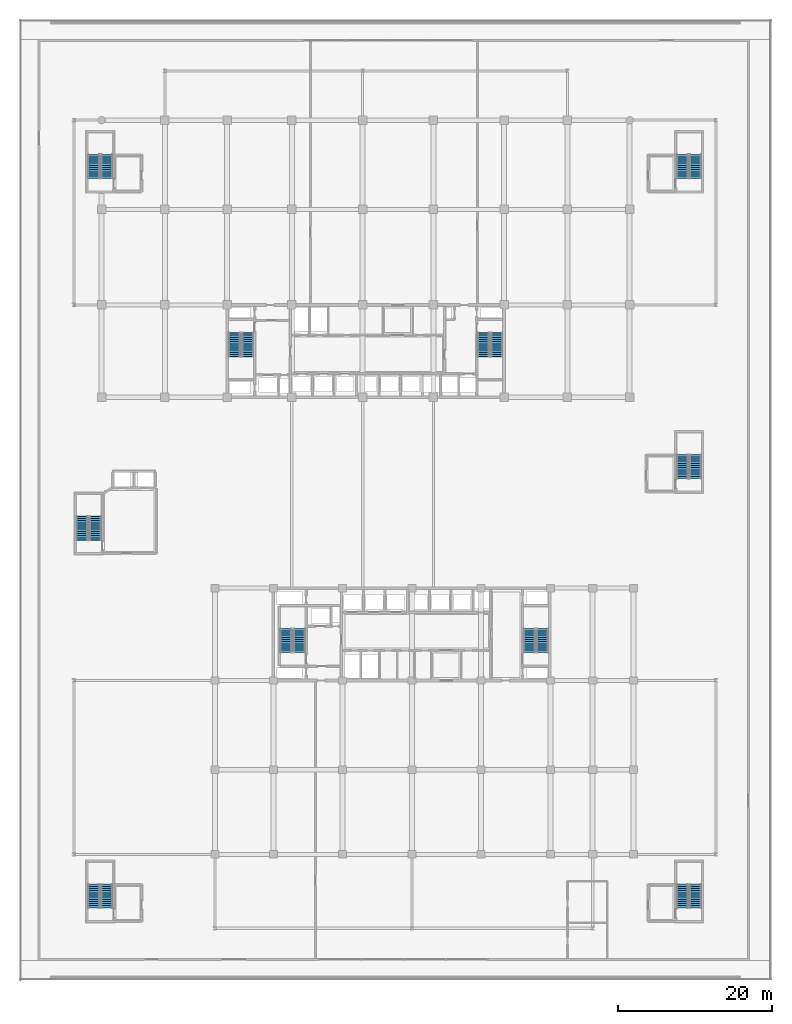
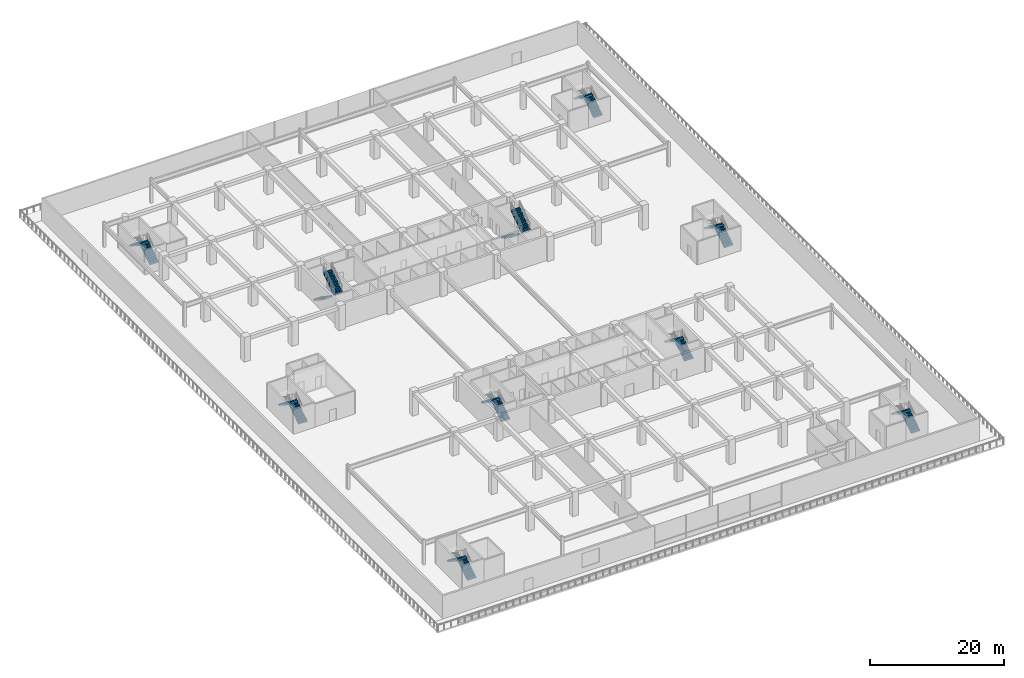
# One storey, part 29 of 40: 20 stair flights, 10 elements without a shape of their own.
"""IFC4 building model written with IfcOpenShell, lengths in metres."""

from ifc_helpers import new_model, si_unit, direction, frame, origin, place, context, subcontext, project, spatial, polyline, outline, extrude, material, type_object, element, aggregate, save


model = new_model("IFC4")

# Units and contexts
model_context = context("Model", 3, precision=1e-05, world=origin(), true_north=direction((0.0, 1.0)))
body_context = subcontext(model_context, "Body", "Model", "MODEL_VIEW")
ifc_project = project(units=[si_unit("LENGTHUNIT", "METRE"), si_unit("AREAUNIT", "SQUARE_METRE"), si_unit("VOLUMEUNIT", "CUBIC_METRE"), si_unit("PLANEANGLEUNIT", "RADIAN"), si_unit("MASSUNIT", "GRAM", prefix="KILO")], contexts=[model_context])

# Site, building, storey
site_placement = place(None, origin())
site = spatial("IfcSite", under=ifc_project, at=site_placement, CompositionType="ELEMENT")
building_placement = place(site_placement, origin())
building = spatial("IfcBuilding", under=site, at=building_placement, Name="Korimba Cascade Residences", CompositionType="ELEMENT")
storey_placement = place(building_placement, frame((0.0, 0.0, 14.5)))
storey = spatial("IfcBuildingStorey", under=building, at=storey_placement, Name="L03", CompositionType="ELEMENT", Elevation=14.5)

# Stair, stair flights
ifc_material = material(Name="Concrete C50/60", Category="concrete")
stair_type_1 = type_object("IfcStairType", Name="STR-W1-24R-1875", PredefinedType="HALF_TURN_STAIR", material=ifc_material)
stair_1_placement = place(storey_placement, origin())
stair_1 = element("IfcStair", 1, at=stair_1_placement, inside=storey, type_object=stair_type_1, Name="L03 Tower 1 West Fire Stair ST-W1", PredefinedType="HALF_TURN_STAIR")
stair_flight_type = type_object("IfcStairFlightType", Name="STF-DL-24R-1875-1520", PredefinedType="STRAIGHT", material=ifc_material)
stair_flight_1_placement = place(storey_placement, frame((77.06005859375, 63.550048828125, 0.0), z_axis=(0.0, 0.0, 1.0), x_axis=(0.0, -1.0, 0.0)))
stair_flight_1 = element("IfcStairFlight", 2, at=stair_flight_1_placement, type_object=stair_flight_type, Name="ST-W1 flight 1", NumberOfRisers=12, NumberOfTreads=11, PredefinedType="STRAIGHT", RiserHeight=0.1875, TreadLength=0.28, context=body_context, shape_type="SweptSolid", body=[
    extrude(outline(polyline([(-0.0380859375, 0.0), (0.0, 0.1875), (0.280029296875, 0.1875), (0.280029296875, 0.375), (0.56005859375, 0.375), (0.56005859375, 0.5625), (0.840087890625, 0.5625), (0.840087890625, 0.75), (1.1201171875, 0.75), (1.1201171875, 0.9375), (1.39990234375, 0.9375), (1.39990234375, 1.125), (1.679931640625, 1.125), (1.679931640625, 1.3125), (1.9599609375, 1.3125), (1.9599609375, 1.5), (2.239990234375, 1.5), (2.239990234375, 1.6875), (2.52001953125, 1.6875), (2.52001953125, 1.875), (2.800048828125, 1.875), (2.800048828125, 2.0625), (3.080078125, 2.0625), (3.080078125, 2.25), (3.117919921875, 2.25), (3.117919921875, 1.882080078125), (0.26953125, 0.0), (0.26953125, -0.0380859375), (-0.0380859375, -0.0380859375), (-0.0380859375, 0.0)])), frame((0.0, 0.760009765625, 0.0), z_axis=(0.0, -1.0, 0.0), x_axis=(1.0, 0.0, 0.0)), (0.0, 0.0, 1.0), 1.52001953125),
])
stair_flight_2_placement = place(storey_placement, frame((78.780029296875, 60.469970703125, 2.25), z_axis=(0.0, 0.0, 1.0), x_axis=(0.0, 1.0, 0.0)))
stair_flight_2 = element("IfcStairFlight", 3, at=stair_flight_2_placement, type_object=stair_flight_type, Name="ST-W1 flight 2", NumberOfRisers=12, NumberOfTreads=11, PredefinedType="STRAIGHT", RiserHeight=0.1875, TreadLength=0.28, context=body_context, shape_type="SweptSolid", body=[
    extrude(outline(polyline([(-0.0380859375, 0.0), (0.0, 0.1875), (0.280029296875, 0.1875), (0.280029296875, 0.375), (0.56005859375, 0.375), (0.56005859375, 0.5625), (0.840087890625, 0.5625), (0.840087890625, 0.75), (1.1201171875, 0.75), (1.1201171875, 0.9375), (1.39990234375, 0.9375), (1.39990234375, 1.125), (1.679931640625, 1.125), (1.679931640625, 1.3125), (1.9599609375, 1.3125), (1.9599609375, 1.5), (2.239990234375, 1.5), (2.239990234375, 1.6875), (2.52001953125, 1.6875), (2.52001953125, 1.875), (2.800048828125, 1.875), (2.800048828125, 2.0625), (3.080078125, 2.0625), (3.080078125, 2.25), (3.117919921875, 2.25), (3.117919921875, 1.882080078125), (0.26953125, 0.0), (0.26953125, -0.0380859375), (-0.0380859375, -0.0380859375), (-0.0380859375, 0.0)])), frame((0.0, 0.760009765625, 0.0), z_axis=(0.0, -1.0, 0.0), x_axis=(1.0, 0.0, 0.0)), (0.0, 0.0, 1.0), 1.52001953125),
])
aggregate(stair_1, [stair_flight_1, stair_flight_2])

stair_type_2 = type_object("IfcStairType", Name="STR-W2-24R-1875", PredefinedType="HALF_TURN_STAIR", material=ifc_material)
stair_2_placement = place(storey_placement, origin())
stair_2 = element("IfcStair", 4, at=stair_2_placement, inside=storey, type_object=stair_type_2, Name="L03 Tower 1 East Fire Stair ST-W2", PredefinedType="HALF_TURN_STAIR")
stair_flight_3_placement = place(storey_placement, frame((109.419921875, 63.550048828125, 0.0), z_axis=(0.0, 0.0, 1.0), x_axis=(0.0, -1.0, 0.0)))
stair_flight_3 = element("IfcStairFlight", 5, at=stair_flight_3_placement, type_object=stair_flight_type, Name="ST-W2 flight 1", NumberOfRisers=12, NumberOfTreads=11, PredefinedType="STRAIGHT", RiserHeight=0.1875, TreadLength=0.28, context=body_context, shape_type="SweptSolid", body=[
    extrude(outline(polyline([(-0.0380859375, 0.0), (0.0, 0.1875), (0.280029296875, 0.1875), (0.280029296875, 0.375), (0.56005859375, 0.375), (0.56005859375, 0.5625), (0.840087890625, 0.5625), (0.840087890625, 0.75), (1.1201171875, 0.75), (1.1201171875, 0.9375), (1.39990234375, 0.9375), (1.39990234375, 1.125), (1.679931640625, 1.125), (1.679931640625, 1.3125), (1.9599609375, 1.3125), (1.9599609375, 1.5), (2.239990234375, 1.5), (2.239990234375, 1.6875), (2.52001953125, 1.6875), (2.52001953125, 1.875), (2.800048828125, 1.875), (2.800048828125, 2.0625), (3.080078125, 2.0625), (3.080078125, 2.25), (3.117919921875, 2.25), (3.117919921875, 1.882080078125), (0.26953125, 0.0), (0.26953125, -0.0380859375), (-0.0380859375, -0.0380859375), (-0.0380859375, 0.0)])), frame((0.0, 0.760009765625, 0.0), z_axis=(0.0, -1.0, 0.0), x_axis=(1.0, 0.0, 0.0)), (0.0, 0.0, 1.0), 1.52001953125),
])
stair_flight_4_placement = place(storey_placement, frame((111.139892578125, 60.469970703125, 2.25), z_axis=(0.0, 0.0, 1.0), x_axis=(0.0, 1.0, 0.0)))
stair_flight_4 = element("IfcStairFlight", 6, at=stair_flight_4_placement, type_object=stair_flight_type, Name="ST-W2 flight 2", NumberOfRisers=12, NumberOfTreads=11, PredefinedType="STRAIGHT", RiserHeight=0.1875, TreadLength=0.28, context=body_context, shape_type="SweptSolid", body=[
    extrude(outline(polyline([(-0.0380859375, 0.0), (0.0, 0.1875), (0.280029296875, 0.1875), (0.280029296875, 0.375), (0.56005859375, 0.375), (0.56005859375, 0.5625), (0.840087890625, 0.5625), (0.840087890625, 0.75), (1.1201171875, 0.75), (1.1201171875, 0.9375), (1.39990234375, 0.9375), (1.39990234375, 1.125), (1.679931640625, 1.125), (1.679931640625, 1.3125), (1.9599609375, 1.3125), (1.9599609375, 1.5), (2.239990234375, 1.5), (2.239990234375, 1.6875), (2.52001953125, 1.6875), (2.52001953125, 1.875), (2.800048828125, 1.875), (2.800048828125, 2.0625), (3.080078125, 2.0625), (3.080078125, 2.25), (3.117919921875, 2.25), (3.117919921875, 1.882080078125), (0.26953125, 0.0), (0.26953125, -0.0380859375), (-0.0380859375, -0.0380859375), (-0.0380859375, 0.0)])), frame((0.0, 0.760009765625, 0.0), z_axis=(0.0, -1.0, 0.0), x_axis=(1.0, 0.0, 0.0)), (0.0, 0.0, 1.0), 1.52001953125),
])
aggregate(stair_2, [stair_flight_3, stair_flight_4])

stair_type_3 = type_object("IfcStairType", Name="STR-E1-24R-1875", PredefinedType="HALF_TURN_STAIR", material=ifc_material)
stair_3_placement = place(storey_placement, origin())
stair_3 = element("IfcStair", 7, at=stair_3_placement, inside=storey, type_object=stair_type_3, Name="L03 Tower 2 West Fire Stair ST-E1", PredefinedType="HALF_TURN_STAIR")
stair_flight_5_placement = place(storey_placement, frame((85.47998046875, 22.050048828125, 0.0), z_axis=(0.0, 0.0, 1.0), x_axis=(0.0, 1.0, 0.0)))
stair_flight_5 = element("IfcStairFlight", 8, at=stair_flight_5_placement, type_object=stair_flight_type, Name="ST-E1 flight 1", NumberOfRisers=12, NumberOfTreads=11, PredefinedType="STRAIGHT", RiserHeight=0.1875, TreadLength=0.28, context=body_context, shape_type="SweptSolid", body=[
    extrude(outline(polyline([(-0.0380859375, 0.0), (0.0, 0.1875), (0.280029296875, 0.1875), (0.280029296875, 0.375), (0.56005859375, 0.375), (0.56005859375, 0.5625), (0.840087890625, 0.5625), (0.840087890625, 0.75), (1.1201171875, 0.75), (1.1201171875, 0.9375), (1.39990234375, 0.9375), (1.39990234375, 1.125), (1.679931640625, 1.125), (1.679931640625, 1.3125), (1.9599609375, 1.3125), (1.9599609375, 1.5), (2.239990234375, 1.5), (2.239990234375, 1.6875), (2.52001953125, 1.6875), (2.52001953125, 1.875), (2.800048828125, 1.875), (2.800048828125, 2.0625), (3.080078125, 2.0625), (3.080078125, 2.25), (3.117919921875, 2.25), (3.117919921875, 1.882080078125), (0.26953125, 0.0), (0.26953125, -0.0380859375), (-0.0380859375, -0.0380859375), (-0.0380859375, 0.0)])), frame((0.0, 0.760009765625, 0.0), z_axis=(0.0, -1.0, 0.0), x_axis=(1.0, 0.0, 0.0)), (0.0, 0.0, 1.0), 1.52001953125),
])
stair_flight_6_placement = place(storey_placement, frame((83.760009765625, 25.1298828125, 2.25), z_axis=(0.0, 0.0, 1.0), x_axis=(0.0, -1.0, 0.0)))
stair_flight_6 = element("IfcStairFlight", 9, at=stair_flight_6_placement, type_object=stair_flight_type, Name="ST-E1 flight 2", NumberOfRisers=12, NumberOfTreads=11, PredefinedType="STRAIGHT", RiserHeight=0.1875, TreadLength=0.28, context=body_context, shape_type="SweptSolid", body=[
    extrude(outline(polyline([(-0.0380859375, 0.0), (0.0, 0.1875), (0.280029296875, 0.1875), (0.280029296875, 0.375), (0.56005859375, 0.375), (0.56005859375, 0.5625), (0.840087890625, 0.5625), (0.840087890625, 0.75), (1.1201171875, 0.75), (1.1201171875, 0.9375), (1.39990234375, 0.9375), (1.39990234375, 1.125), (1.679931640625, 1.125), (1.679931640625, 1.3125), (1.9599609375, 1.3125), (1.9599609375, 1.5), (2.239990234375, 1.5), (2.239990234375, 1.6875), (2.52001953125, 1.6875), (2.52001953125, 1.875), (2.800048828125, 1.875), (2.800048828125, 2.0625), (3.080078125, 2.0625), (3.080078125, 2.25), (3.117919921875, 2.25), (3.117919921875, 1.882080078125), (0.26953125, 0.0), (0.26953125, -0.0380859375), (-0.0380859375, -0.0380859375), (-0.0380859375, 0.0)])), frame((0.0, 0.760009765625, 0.0), z_axis=(0.0, -1.0, 0.0), x_axis=(1.0, 0.0, 0.0)), (0.0, 0.0, 1.0), 1.52001953125),
])
aggregate(stair_3, [stair_flight_5, stair_flight_6])

stair_type_4 = type_object("IfcStairType", Name="STR-E2-24R-1875", PredefinedType="HALF_TURN_STAIR", material=ifc_material)
stair_4_placement = place(storey_placement, origin())
stair_4 = element("IfcStair", 10, at=stair_4_placement, inside=storey, type_object=stair_type_4, Name="L03 Tower 2 East Fire Stair ST-E2", PredefinedType="HALF_TURN_STAIR")
stair_flight_7_placement = place(storey_placement, frame((117.080078125, 22.050048828125, 0.0), z_axis=(0.0, 0.0, 1.0), x_axis=(0.0, 1.0, 0.0)))
stair_flight_7 = element("IfcStairFlight", 11, at=stair_flight_7_placement, type_object=stair_flight_type, Name="ST-E2 flight 1", NumberOfRisers=12, NumberOfTreads=11, PredefinedType="STRAIGHT", RiserHeight=0.1875, TreadLength=0.28, context=body_context, shape_type="SweptSolid", body=[
    extrude(outline(polyline([(-0.0380859375, 0.0), (0.0, 0.1875), (0.280029296875, 0.1875), (0.280029296875, 0.375), (0.56005859375, 0.375), (0.56005859375, 0.5625), (0.840087890625, 0.5625), (0.840087890625, 0.75), (1.1201171875, 0.75), (1.1201171875, 0.9375), (1.39990234375, 0.9375), (1.39990234375, 1.125), (1.679931640625, 1.125), (1.679931640625, 1.3125), (1.9599609375, 1.3125), (1.9599609375, 1.5), (2.239990234375, 1.5), (2.239990234375, 1.6875), (2.52001953125, 1.6875), (2.52001953125, 1.875), (2.800048828125, 1.875), (2.800048828125, 2.0625), (3.080078125, 2.0625), (3.080078125, 2.25), (3.117919921875, 2.25), (3.117919921875, 1.882080078125), (0.26953125, 0.0), (0.26953125, -0.0380859375), (-0.0380859375, -0.0380859375), (-0.0380859375, 0.0)])), frame((0.0, 0.760009765625, 0.0), z_axis=(0.0, -1.0, 0.0), x_axis=(1.0, 0.0, 0.0)), (0.0, 0.0, 1.0), 1.52001953125),
])
stair_flight_8_placement = place(storey_placement, frame((115.360107421875, 25.1298828125, 2.25), z_axis=(0.0, 0.0, 1.0), x_axis=(0.0, -1.0, 0.0)))
stair_flight_8 = element("IfcStairFlight", 12, at=stair_flight_8_placement, type_object=stair_flight_type, Name="ST-E2 flight 2", NumberOfRisers=12, NumberOfTreads=11, PredefinedType="STRAIGHT", RiserHeight=0.1875, TreadLength=0.28, context=body_context, shape_type="SweptSolid", body=[
    extrude(outline(polyline([(-0.0380859375, 0.0), (0.0, 0.1875), (0.280029296875, 0.1875), (0.280029296875, 0.375), (0.56005859375, 0.375), (0.56005859375, 0.5625), (0.840087890625, 0.5625), (0.840087890625, 0.75), (1.1201171875, 0.75), (1.1201171875, 0.9375), (1.39990234375, 0.9375), (1.39990234375, 1.125), (1.679931640625, 1.125), (1.679931640625, 1.3125), (1.9599609375, 1.3125), (1.9599609375, 1.5), (2.239990234375, 1.5), (2.239990234375, 1.6875), (2.52001953125, 1.6875), (2.52001953125, 1.875), (2.800048828125, 1.875), (2.800048828125, 2.0625), (3.080078125, 2.0625), (3.080078125, 2.25), (3.117919921875, 2.25), (3.117919921875, 1.882080078125), (0.26953125, 0.0), (0.26953125, -0.0380859375), (-0.0380859375, -0.0380859375), (-0.0380859375, 0.0)])), frame((0.0, 0.760009765625, 0.0), z_axis=(0.0, -1.0, 0.0), x_axis=(1.0, 0.0, 0.0)), (0.0, 0.0, 1.0), 1.52001953125),
])
aggregate(stair_4, [stair_flight_7, stair_flight_8])

stair_type_5 = type_object("IfcStairType", Name="STR-P1-24R-1875", PredefinedType="HALF_TURN_STAIR", material=ifc_material)
stair_5_placement = place(storey_placement, origin())
stair_5 = element("IfcStair", 13, at=stair_5_placement, inside=storey, type_object=stair_type_5, Name="L03 Podium West Fire Stair ST-P1", PredefinedType="HALF_TURN_STAIR")
stair_flight_9_placement = place(storey_placement, frame((58.97998046875, 36.64990234375, 0.0), z_axis=(0.0, 0.0, 1.0), x_axis=(0.0, 1.0, 0.0)))
stair_flight_9 = element("IfcStairFlight", 14, at=stair_flight_9_placement, type_object=stair_flight_type, Name="ST-P1 flight 1", NumberOfRisers=12, NumberOfTreads=11, PredefinedType="STRAIGHT", RiserHeight=0.1875, TreadLength=0.28, context=body_context, shape_type="SweptSolid", body=[
    extrude(outline(polyline([(-0.0380859375, 0.0), (0.0, 0.1875), (0.280029296875, 0.1875), (0.280029296875, 0.375), (0.56005859375, 0.375), (0.56005859375, 0.5625), (0.840087890625, 0.5625), (0.840087890625, 0.75), (1.1201171875, 0.75), (1.1201171875, 0.9375), (1.39990234375, 0.9375), (1.39990234375, 1.125), (1.679931640625, 1.125), (1.679931640625, 1.3125), (1.9599609375, 1.3125), (1.9599609375, 1.5), (2.239990234375, 1.5), (2.239990234375, 1.6875), (2.52001953125, 1.6875), (2.52001953125, 1.875), (2.800048828125, 1.875), (2.800048828125, 2.0625), (3.080078125, 2.0625), (3.080078125, 2.25), (3.117919921875, 2.25), (3.117919921875, 1.882080078125), (0.26953125, 0.0), (0.26953125, -0.0380859375), (-0.0380859375, -0.0380859375), (-0.0380859375, 0.0)])), frame((0.0, 0.760009765625, 0.0), z_axis=(0.0, -1.0, 0.0), x_axis=(1.0, 0.0, 0.0)), (0.0, 0.0, 1.0), 1.52001953125),
])
stair_flight_10_placement = place(storey_placement, frame((57.260009765625, 39.72998046875, 2.25), z_axis=(0.0, 0.0, 1.0), x_axis=(0.0, -1.0, 0.0)))
stair_flight_10 = element("IfcStairFlight", 15, at=stair_flight_10_placement, type_object=stair_flight_type, Name="ST-P1 flight 2", NumberOfRisers=12, NumberOfTreads=11, PredefinedType="STRAIGHT", RiserHeight=0.1875, TreadLength=0.28, context=body_context, shape_type="SweptSolid", body=[
    extrude(outline(polyline([(-0.0380859375, 0.0), (0.0, 0.1875), (0.280029296875, 0.1875), (0.280029296875, 0.375), (0.56005859375, 0.375), (0.56005859375, 0.5625), (0.840087890625, 0.5625), (0.840087890625, 0.75), (1.1201171875, 0.75), (1.1201171875, 0.9375), (1.39990234375, 0.9375), (1.39990234375, 1.125), (1.679931640625, 1.125), (1.679931640625, 1.3125), (1.9599609375, 1.3125), (1.9599609375, 1.5), (2.239990234375, 1.5), (2.239990234375, 1.6875), (2.52001953125, 1.6875), (2.52001953125, 1.875), (2.800048828125, 1.875), (2.800048828125, 2.0625), (3.080078125, 2.0625), (3.080078125, 2.25), (3.117919921875, 2.25), (3.117919921875, 1.882080078125), (0.26953125, 0.0), (0.26953125, -0.0380859375), (-0.0380859375, -0.0380859375), (-0.0380859375, 0.0)])), frame((0.0, 0.760009765625, 0.0), z_axis=(0.0, -1.0, 0.0), x_axis=(1.0, 0.0, 0.0)), (0.0, 0.0, 1.0), 1.52001953125),
])
aggregate(stair_5, [stair_flight_9, stair_flight_10])

stair_type_6 = type_object("IfcStairType", Name="STR-P2-24R-1875", PredefinedType="HALF_TURN_STAIR", material=ifc_material)
stair_6_placement = place(storey_placement, origin())
stair_6 = element("IfcStair", 16, at=stair_6_placement, inside=storey, type_object=stair_type_6, Name="L03 Podium East Fire Stair ST-P2", PredefinedType="HALF_TURN_STAIR")
stair_flight_11_placement = place(storey_placement, frame((136.97998046875, 44.64990234375, 0.0), z_axis=(0.0, 0.0, 1.0), x_axis=(0.0, 1.0, 0.0)))
stair_flight_11 = element("IfcStairFlight", 17, at=stair_flight_11_placement, type_object=stair_flight_type, Name="ST-P2 flight 1", NumberOfRisers=12, NumberOfTreads=11, PredefinedType="STRAIGHT", RiserHeight=0.1875, TreadLength=0.28, context=body_context, shape_type="SweptSolid", body=[
    extrude(outline(polyline([(-0.0380859375, 0.0), (0.0, 0.1875), (0.280029296875, 0.1875), (0.280029296875, 0.375), (0.56005859375, 0.375), (0.56005859375, 0.5625), (0.840087890625, 0.5625), (0.840087890625, 0.75), (1.1201171875, 0.75), (1.1201171875, 0.9375), (1.39990234375, 0.9375), (1.39990234375, 1.125), (1.679931640625, 1.125), (1.679931640625, 1.3125), (1.9599609375, 1.3125), (1.9599609375, 1.5), (2.239990234375, 1.5), (2.239990234375, 1.6875), (2.52001953125, 1.6875), (2.52001953125, 1.875), (2.800048828125, 1.875), (2.800048828125, 2.0625), (3.080078125, 2.0625), (3.080078125, 2.25), (3.117919921875, 2.25), (3.117919921875, 1.882080078125), (0.26953125, 0.0), (0.26953125, -0.0380859375), (-0.0380859375, -0.0380859375), (-0.0380859375, 0.0)])), frame((0.0, 0.760009765625, 0.0), z_axis=(0.0, -1.0, 0.0), x_axis=(1.0, 0.0, 0.0)), (0.0, 0.0, 1.0), 1.52001953125),
])
stair_flight_12_placement = place(storey_placement, frame((135.260009765625, 47.72998046875, 2.25), z_axis=(0.0, 0.0, 1.0), x_axis=(0.0, -1.0, 0.0)))
stair_flight_12 = element("IfcStairFlight", 18, at=stair_flight_12_placement, type_object=stair_flight_type, Name="ST-P2 flight 2", NumberOfRisers=12, NumberOfTreads=11, PredefinedType="STRAIGHT", RiserHeight=0.1875, TreadLength=0.28, context=body_context, shape_type="SweptSolid", body=[
    extrude(outline(polyline([(-0.0380859375, 0.0), (0.0, 0.1875), (0.280029296875, 0.1875), (0.280029296875, 0.375), (0.56005859375, 0.375), (0.56005859375, 0.5625), (0.840087890625, 0.5625), (0.840087890625, 0.75), (1.1201171875, 0.75), (1.1201171875, 0.9375), (1.39990234375, 0.9375), (1.39990234375, 1.125), (1.679931640625, 1.125), (1.679931640625, 1.3125), (1.9599609375, 1.3125), (1.9599609375, 1.5), (2.239990234375, 1.5), (2.239990234375, 1.6875), (2.52001953125, 1.6875), (2.52001953125, 1.875), (2.800048828125, 1.875), (2.800048828125, 2.0625), (3.080078125, 2.0625), (3.080078125, 2.25), (3.117919921875, 2.25), (3.117919921875, 1.882080078125), (0.26953125, 0.0), (0.26953125, -0.0380859375), (-0.0380859375, -0.0380859375), (-0.0380859375, 0.0)])), frame((0.0, 0.760009765625, 0.0), z_axis=(0.0, -1.0, 0.0), x_axis=(1.0, 0.0, 0.0)), (0.0, 0.0, 1.0), 1.52001953125),
])
aggregate(stair_6, [stair_flight_11, stair_flight_12])

stair_type_7 = type_object("IfcStairType", Name="STR-P3-24R-1875", PredefinedType="HALF_TURN_STAIR", material=ifc_material)
stair_7_placement = place(storey_placement, origin())
stair_7 = element("IfcStair", 19, at=stair_7_placement, inside=storey, type_object=stair_type_7, Name="L03 Podium South-West Corner Fire Stair ST-P3", PredefinedType="HALF_TURN_STAIR")
stair_flight_13_placement = place(storey_placement, frame((60.47998046875, -11.14990234375, 0.0), z_axis=(0.0, 0.0, 1.0), x_axis=(0.0, 1.0, 0.0)))
stair_flight_13 = element("IfcStairFlight", 20, at=stair_flight_13_placement, type_object=stair_flight_type, Name="ST-P3 flight 1", NumberOfRisers=12, NumberOfTreads=11, PredefinedType="STRAIGHT", RiserHeight=0.1875, TreadLength=0.28, context=body_context, shape_type="SweptSolid", body=[
    extrude(outline(polyline([(-0.0380859375, 0.0), (0.0, 0.1875), (0.280029296875, 0.1875), (0.280029296875, 0.375), (0.56005859375, 0.375), (0.56005859375, 0.5625), (0.840087890625, 0.5625), (0.840087890625, 0.75), (1.1201171875, 0.75), (1.1201171875, 0.9375), (1.39990234375, 0.9375), (1.39990234375, 1.125), (1.679931640625, 1.125), (1.679931640625, 1.3125), (1.9599609375, 1.3125), (1.9599609375, 1.5), (2.239990234375, 1.5), (2.239990234375, 1.6875), (2.52001953125, 1.6875), (2.52001953125, 1.875), (2.800048828125, 1.875), (2.800048828125, 2.0625), (3.080078125, 2.0625), (3.080078125, 2.25), (3.117919921875, 2.25), (3.117919921875, 1.882080078125), (0.26953125, 0.0), (0.26953125, -0.0380859375), (-0.0380859375, -0.0380859375), (-0.0380859375, 0.0)])), frame((0.0, 0.760009765625, 0.0), z_axis=(0.0, -1.0, 0.0), x_axis=(1.0, 0.0, 0.0)), (0.0, 0.0, 1.0), 1.52001953125),
])
stair_flight_14_placement = place(storey_placement, frame((58.760009765625, -8.070068359375, 2.25), z_axis=(0.0, 0.0, 1.0), x_axis=(0.0, -1.0, 0.0)))
stair_flight_14 = element("IfcStairFlight", 21, at=stair_flight_14_placement, type_object=stair_flight_type, Name="ST-P3 flight 2", NumberOfRisers=12, NumberOfTreads=11, PredefinedType="STRAIGHT", RiserHeight=0.1875, TreadLength=0.28, context=body_context, shape_type="SweptSolid", body=[
    extrude(outline(polyline([(-0.0380859375, 0.0), (0.0, 0.1875), (0.280029296875, 0.1875), (0.280029296875, 0.375), (0.56005859375, 0.375), (0.56005859375, 0.5625), (0.840087890625, 0.5625), (0.840087890625, 0.75), (1.1201171875, 0.75), (1.1201171875, 0.9375), (1.39990234375, 0.9375), (1.39990234375, 1.125), (1.679931640625, 1.125), (1.679931640625, 1.3125), (1.9599609375, 1.3125), (1.9599609375, 1.5), (2.239990234375, 1.5), (2.239990234375, 1.6875), (2.52001953125, 1.6875), (2.52001953125, 1.875), (2.800048828125, 1.875), (2.800048828125, 2.0625), (3.080078125, 2.0625), (3.080078125, 2.25), (3.117919921875, 2.25), (3.117919921875, 1.882080078125), (0.26953125, 0.0), (0.26953125, -0.0380859375), (-0.0380859375, -0.0380859375), (-0.0380859375, 0.0)])), frame((0.0, 0.760009765625, 0.0), z_axis=(0.0, -1.0, 0.0), x_axis=(1.0, 0.0, 0.0)), (0.0, 0.0, 1.0), 1.52001953125),
])
aggregate(stair_7, [stair_flight_13, stair_flight_14])

stair_type_8 = type_object("IfcStairType", Name="STR-P4-24R-1875", PredefinedType="HALF_TURN_STAIR", material=ifc_material)
stair_8_placement = place(storey_placement, origin())
stair_8 = element("IfcStair", 22, at=stair_8_placement, inside=storey, type_object=stair_type_8, Name="L03 Podium North-East Corner Fire Stair ST-P4", PredefinedType="HALF_TURN_STAIR")
stair_flight_15_placement = place(storey_placement, frame((136.97998046875, 83.64990234375, 0.0), z_axis=(0.0, 0.0, 1.0), x_axis=(0.0, 1.0, 0.0)))
stair_flight_15 = element("IfcStairFlight", 23, at=stair_flight_15_placement, type_object=stair_flight_type, Name="ST-P4 flight 1", NumberOfRisers=12, NumberOfTreads=11, PredefinedType="STRAIGHT", RiserHeight=0.1875, TreadLength=0.28, context=body_context, shape_type="SweptSolid", body=[
    extrude(outline(polyline([(-0.0380859375, 0.0), (0.0, 0.1875), (0.280029296875, 0.1875), (0.280029296875, 0.375), (0.56005859375, 0.375), (0.56005859375, 0.5625), (0.840087890625, 0.5625), (0.840087890625, 0.75), (1.1201171875, 0.75), (1.1201171875, 0.9375), (1.39990234375, 0.9375), (1.39990234375, 1.125), (1.679931640625, 1.125), (1.679931640625, 1.3125), (1.9599609375, 1.3125), (1.9599609375, 1.5), (2.239990234375, 1.5), (2.239990234375, 1.6875), (2.52001953125, 1.6875), (2.52001953125, 1.875), (2.800048828125, 1.875), (2.800048828125, 2.0625), (3.080078125, 2.0625), (3.080078125, 2.25), (3.117919921875, 2.25), (3.117919921875, 1.882080078125), (0.26953125, 0.0), (0.26953125, -0.0380859375), (-0.0380859375, -0.0380859375), (-0.0380859375, 0.0)])), frame((0.0, 0.760009765625, 0.0), z_axis=(0.0, -1.0, 0.0), x_axis=(1.0, 0.0, 0.0)), (0.0, 0.0, 1.0), 1.52001953125),
])
stair_flight_16_placement = place(storey_placement, frame((135.260009765625, 86.72998046875, 2.25), z_axis=(0.0, 0.0, 1.0), x_axis=(0.0, -1.0, 0.0)))
stair_flight_16 = element("IfcStairFlight", 24, at=stair_flight_16_placement, type_object=stair_flight_type, Name="ST-P4 flight 2", NumberOfRisers=12, NumberOfTreads=11, PredefinedType="STRAIGHT", RiserHeight=0.1875, TreadLength=0.28, context=body_context, shape_type="SweptSolid", body=[
    extrude(outline(polyline([(-0.0380859375, 0.0), (0.0, 0.1875), (0.280029296875, 0.1875), (0.280029296875, 0.375), (0.56005859375, 0.375), (0.56005859375, 0.5625), (0.840087890625, 0.5625), (0.840087890625, 0.75), (1.1201171875, 0.75), (1.1201171875, 0.9375), (1.39990234375, 0.9375), (1.39990234375, 1.125), (1.679931640625, 1.125), (1.679931640625, 1.3125), (1.9599609375, 1.3125), (1.9599609375, 1.5), (2.239990234375, 1.5), (2.239990234375, 1.6875), (2.52001953125, 1.6875), (2.52001953125, 1.875), (2.800048828125, 1.875), (2.800048828125, 2.0625), (3.080078125, 2.0625), (3.080078125, 2.25), (3.117919921875, 2.25), (3.117919921875, 1.882080078125), (0.26953125, 0.0), (0.26953125, -0.0380859375), (-0.0380859375, -0.0380859375), (-0.0380859375, 0.0)])), frame((0.0, 0.760009765625, 0.0), z_axis=(0.0, -1.0, 0.0), x_axis=(1.0, 0.0, 0.0)), (0.0, 0.0, 1.0), 1.52001953125),
])
aggregate(stair_8, [stair_flight_15, stair_flight_16])

stair_type_9 = type_object("IfcStairType", Name="STR-P5-24R-1875", PredefinedType="HALF_TURN_STAIR", material=ifc_material)
stair_9_placement = place(storey_placement, origin())
stair_9 = element("IfcStair", 25, at=stair_9_placement, inside=storey, type_object=stair_type_9, Name="L03 Podium North-West Corner Fire Stair ST-P5", PredefinedType="HALF_TURN_STAIR")
stair_flight_17_placement = place(storey_placement, frame((60.47998046875, 83.64990234375, 0.0), z_axis=(0.0, 0.0, 1.0), x_axis=(0.0, 1.0, 0.0)))
stair_flight_17 = element("IfcStairFlight", 26, at=stair_flight_17_placement, type_object=stair_flight_type, Name="ST-P5 flight 1", NumberOfRisers=12, NumberOfTreads=11, PredefinedType="STRAIGHT", RiserHeight=0.1875, TreadLength=0.28, context=body_context, shape_type="SweptSolid", body=[
    extrude(outline(polyline([(-0.0380859375, 0.0), (0.0, 0.1875), (0.280029296875, 0.1875), (0.280029296875, 0.375), (0.56005859375, 0.375), (0.56005859375, 0.5625), (0.840087890625, 0.5625), (0.840087890625, 0.75), (1.1201171875, 0.75), (1.1201171875, 0.9375), (1.39990234375, 0.9375), (1.39990234375, 1.125), (1.679931640625, 1.125), (1.679931640625, 1.3125), (1.9599609375, 1.3125), (1.9599609375, 1.5), (2.239990234375, 1.5), (2.239990234375, 1.6875), (2.52001953125, 1.6875), (2.52001953125, 1.875), (2.800048828125, 1.875), (2.800048828125, 2.0625), (3.080078125, 2.0625), (3.080078125, 2.25), (3.117919921875, 2.25), (3.117919921875, 1.882080078125), (0.26953125, 0.0), (0.26953125, -0.0380859375), (-0.0380859375, -0.0380859375), (-0.0380859375, 0.0)])), frame((0.0, 0.760009765625, 0.0), z_axis=(0.0, -1.0, 0.0), x_axis=(1.0, 0.0, 0.0)), (0.0, 0.0, 1.0), 1.52001953125),
])
stair_flight_18_placement = place(storey_placement, frame((58.760009765625, 86.72998046875, 2.25), z_axis=(0.0, 0.0, 1.0), x_axis=(0.0, -1.0, 0.0)))
stair_flight_18 = element("IfcStairFlight", 27, at=stair_flight_18_placement, type_object=stair_flight_type, Name="ST-P5 flight 2", NumberOfRisers=12, NumberOfTreads=11, PredefinedType="STRAIGHT", RiserHeight=0.1875, TreadLength=0.28, context=body_context, shape_type="SweptSolid", body=[
    extrude(outline(polyline([(-0.0380859375, 0.0), (0.0, 0.1875), (0.280029296875, 0.1875), (0.280029296875, 0.375), (0.56005859375, 0.375), (0.56005859375, 0.5625), (0.840087890625, 0.5625), (0.840087890625, 0.75), (1.1201171875, 0.75), (1.1201171875, 0.9375), (1.39990234375, 0.9375), (1.39990234375, 1.125), (1.679931640625, 1.125), (1.679931640625, 1.3125), (1.9599609375, 1.3125), (1.9599609375, 1.5), (2.239990234375, 1.5), (2.239990234375, 1.6875), (2.52001953125, 1.6875), (2.52001953125, 1.875), (2.800048828125, 1.875), (2.800048828125, 2.0625), (3.080078125, 2.0625), (3.080078125, 2.25), (3.117919921875, 2.25), (3.117919921875, 1.882080078125), (0.26953125, 0.0), (0.26953125, -0.0380859375), (-0.0380859375, -0.0380859375), (-0.0380859375, 0.0)])), frame((0.0, 0.760009765625, 0.0), z_axis=(0.0, -1.0, 0.0), x_axis=(1.0, 0.0, 0.0)), (0.0, 0.0, 1.0), 1.52001953125),
])
aggregate(stair_9, [stair_flight_17, stair_flight_18])

stair_type_10 = type_object("IfcStairType", Name="STR-P6-24R-1875", PredefinedType="HALF_TURN_STAIR", material=ifc_material)
stair_10_placement = place(storey_placement, origin())
stair_10 = element("IfcStair", 28, at=stair_10_placement, inside=storey, type_object=stair_type_10, Name="L03 Podium South-East Corner Fire Stair ST-P6", PredefinedType="HALF_TURN_STAIR")
stair_flight_19_placement = place(storey_placement, frame((136.97998046875, -11.14990234375, 0.0), z_axis=(0.0, 0.0, 1.0), x_axis=(0.0, 1.0, 0.0)))
stair_flight_19 = element("IfcStairFlight", 29, at=stair_flight_19_placement, type_object=stair_flight_type, Name="ST-P6 flight 1", NumberOfRisers=12, NumberOfTreads=11, PredefinedType="STRAIGHT", RiserHeight=0.1875, TreadLength=0.28, context=body_context, shape_type="SweptSolid", body=[
    extrude(outline(polyline([(-0.0380859375, 0.0), (0.0, 0.1875), (0.280029296875, 0.1875), (0.280029296875, 0.375), (0.56005859375, 0.375), (0.56005859375, 0.5625), (0.840087890625, 0.5625), (0.840087890625, 0.75), (1.1201171875, 0.75), (1.1201171875, 0.9375), (1.39990234375, 0.9375), (1.39990234375, 1.125), (1.679931640625, 1.125), (1.679931640625, 1.3125), (1.9599609375, 1.3125), (1.9599609375, 1.5), (2.239990234375, 1.5), (2.239990234375, 1.6875), (2.52001953125, 1.6875), (2.52001953125, 1.875), (2.800048828125, 1.875), (2.800048828125, 2.0625), (3.080078125, 2.0625), (3.080078125, 2.25), (3.117919921875, 2.25), (3.117919921875, 1.882080078125), (0.26953125, 0.0), (0.26953125, -0.0380859375), (-0.0380859375, -0.0380859375), (-0.0380859375, 0.0)])), frame((0.0, 0.760009765625, 0.0), z_axis=(0.0, -1.0, 0.0), x_axis=(1.0, 0.0, 0.0)), (0.0, 0.0, 1.0), 1.52001953125),
])
stair_flight_20_placement = place(storey_placement, frame((135.260009765625, -8.070068359375, 2.25), z_axis=(0.0, 0.0, 1.0), x_axis=(0.0, -1.0, 0.0)))
stair_flight_20 = element("IfcStairFlight", 30, at=stair_flight_20_placement, type_object=stair_flight_type, Name="ST-P6 flight 2", NumberOfRisers=12, NumberOfTreads=11, PredefinedType="STRAIGHT", RiserHeight=0.1875, TreadLength=0.28, context=body_context, shape_type="SweptSolid", body=[
    extrude(outline(polyline([(-0.0380859375, 0.0), (0.0, 0.1875), (0.280029296875, 0.1875), (0.280029296875, 0.375), (0.56005859375, 0.375), (0.56005859375, 0.5625), (0.840087890625, 0.5625), (0.840087890625, 0.75), (1.1201171875, 0.75), (1.1201171875, 0.9375), (1.39990234375, 0.9375), (1.39990234375, 1.125), (1.679931640625, 1.125), (1.679931640625, 1.3125), (1.9599609375, 1.3125), (1.9599609375, 1.5), (2.239990234375, 1.5), (2.239990234375, 1.6875), (2.52001953125, 1.6875), (2.52001953125, 1.875), (2.800048828125, 1.875), (2.800048828125, 2.0625), (3.080078125, 2.0625), (3.080078125, 2.25), (3.117919921875, 2.25), (3.117919921875, 1.882080078125), (0.26953125, 0.0), (0.26953125, -0.0380859375), (-0.0380859375, -0.0380859375), (-0.0380859375, 0.0)])), frame((0.0, 0.760009765625, 0.0), z_axis=(0.0, -1.0, 0.0), x_axis=(1.0, 0.0, 0.0)), (0.0, 0.0, 1.0), 1.52001953125),
])
aggregate(stair_10, [stair_flight_19, stair_flight_20])

save(model, "model.ifc")
